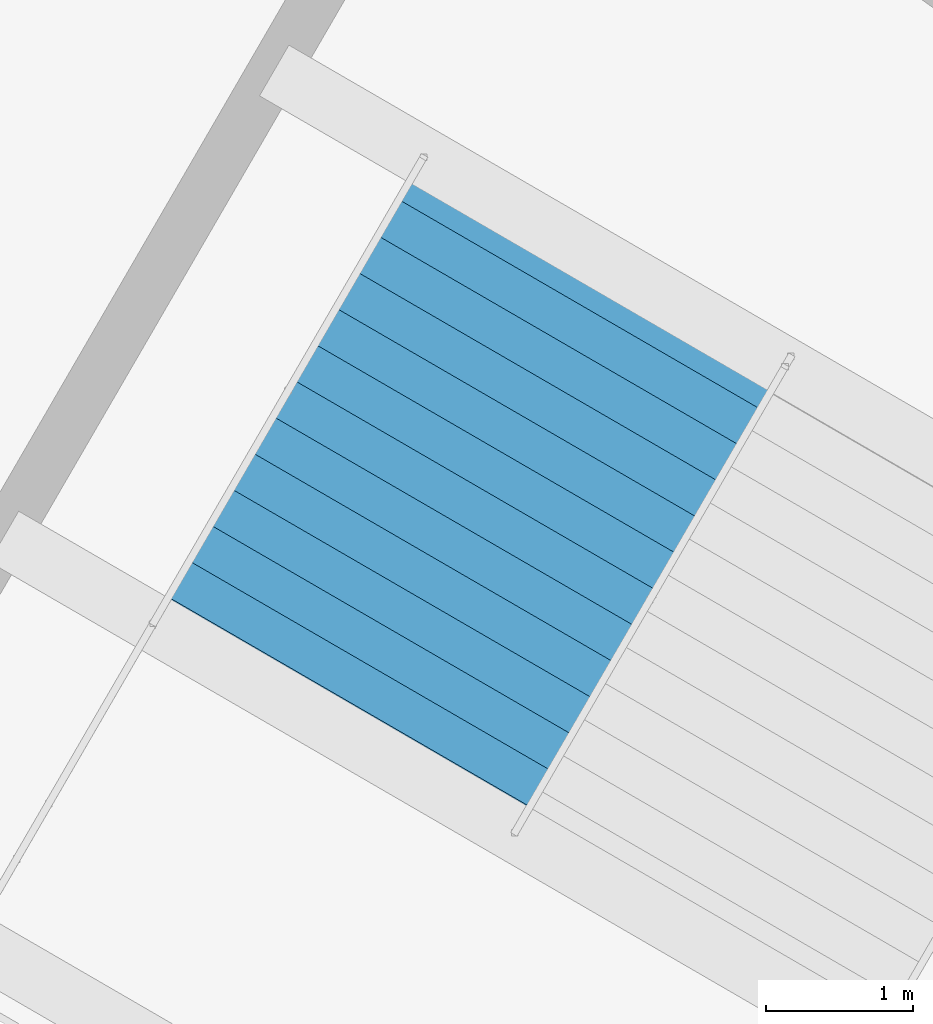
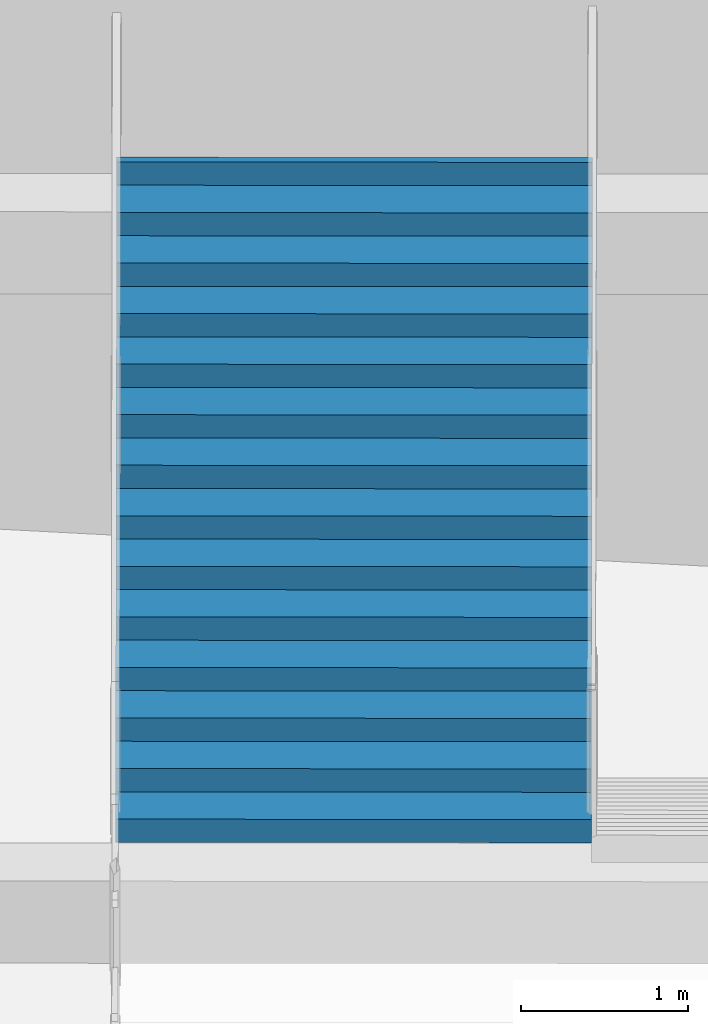
# One storey, part 133 of 156: 1 stair flight, 1 element without a shape of its own.
"""IFC4 building model written with IfcOpenShell, lengths in metres."""

from ifc_helpers import new_model, si_unit, direction, frame, origin, place, context, subcontext, project, spatial, polygons, material, type_object, element, aggregate, save


model = new_model("IFC4")

# Units and contexts
model_context = context("Model", 3, precision=1e-05, world=origin(), true_north=direction((0.0, 1.0)))
body_context = subcontext(model_context, "Body", "Model", "MODEL_VIEW")
ifc_project = project(units=[si_unit("LENGTHUNIT", "METRE"), si_unit("AREAUNIT", "SQUARE_METRE"), si_unit("VOLUMEUNIT", "CUBIC_METRE"), si_unit("PLANEANGLEUNIT", "RADIAN"), si_unit("MASSUNIT", "GRAM", prefix="KILO")], contexts=[model_context])

# Site, building, storey
site_placement = place(None, origin())
site = spatial("IfcSite", under=ifc_project, at=site_placement, CompositionType="ELEMENT")
building_placement = place(site_placement, origin())
building = spatial("IfcBuilding", under=site, at=building_placement, Name="Kazemori Nagisa Stadium", CompositionType="ELEMENT")
storey_placement = place(building_placement, frame((0.0, 0.0, 5.780029296875)))
storey = spatial("IfcBuildingStorey", under=building, at=storey_placement, Name="L01", CompositionType="ELEMENT", Elevation=5.780029296875)

# Stair, stair flight
ifc_material = material(Name="Concrete C36/45 (Fc36)", Category="concrete")
stair_type = type_object("IfcStairType", Name="Stair_CORE_28", PredefinedType="TWO_STRAIGHT_RUN_STAIR", material=ifc_material)
stair_placement = place(storey_placement, origin())
stair = element("IfcStair", 1, at=stair_placement, inside=storey, type_object=stair_type, Name="Exit stair ST08 L01", PredefinedType="TWO_STRAIGHT_RUN_STAIR")
stair_flight_type = type_object("IfcStairFlightType", Name="Flight_CORE_14", PredefinedType="STRAIGHT", material=ifc_material)
stair_flight_placement = place(storey_placement, frame((45.154296875, 148.83642578125, 2.3798828125), z_axis=(0.0, 0.0, 1.0), x_axis=(0.501579038974, 0.86511182379, 0.0)))
stair_flight = element("IfcStairFlight", 2, at=stair_flight_placement, type_object=stair_flight_type, Name="Exit stair ST08 L01 flight 2", NumberOfRisers=14, NumberOfTreads=13, PredefinedType="STRAIGHT", RiserHeight=0.17, TreadLength=0.285, context=body_context, shape_type="Tessellation", body=[
    polygons([(0.0, -1.425048828125, 0.0), (0.0, -1.425048828125, 0.169921875), (0.284912109375, -1.425048828125, 0.169921875), (0.284912109375, -1.425048828125, 0.340087890625), (0.570068359375, -1.425048828125, 0.340087890625), (0.570068359375, -1.425048828125, 0.510009765625), (0.85498046875, -1.425048828125, 0.510009765625), (0.85498046875, -1.425048828125, 0.679931640625), (1.139892578125, -1.425048828125, 0.679931640625), (1.139892578125, -1.425048828125, 0.85009765625), (1.425048828125, -1.425048828125, 0.85009765625), (1.425048828125, -1.425048828125, 1.02001953125), (1.7099609375, -1.425048828125, 1.02001953125), (1.7099609375, -1.425048828125, 1.18994140625), (1.9951171875, -1.425048828125, 1.18994140625), (1.9951171875, -1.425048828125, 1.360107421875), (2.280029296875, -1.425048828125, 1.360107421875), (2.280029296875, -1.425048828125, 1.530029296875), (2.56494140625, -1.425048828125, 1.530029296875), (2.56494140625, -1.425048828125, 1.699951171875), (2.85009765625, -1.425048828125, 1.699951171875), (2.85009765625, -1.425048828125, 1.8701171875), (3.135009765625, -1.425048828125, 1.8701171875), (3.135009765625, -1.425048828125, 2.0400390625), (3.419921875, -1.425048828125, 2.0400390625), (3.419921875, -1.425048828125, 2.2099609375), (3.705078125, -1.425048828125, 2.2099609375), (3.705078125, -1.425048828125, 2.3798828125), (3.7548828125, -1.425048828125, 2.3798828125), (3.7548828125, -1.425048828125, 2.007080078125), (3.705078125, -1.425048828125, 1.977294921875), (3.419921875, -1.425048828125, 1.80712890625), (3.135009765625, -1.425048828125, 1.63720703125), (2.85009765625, -1.425048828125, 1.46728515625), (2.56494140625, -1.425048828125, 1.297119140625), (2.280029296875, -1.425048828125, 1.127197265625), (1.9951171875, -1.425048828125, 0.957275390625), (1.7099609375, -1.425048828125, 0.787109375), (1.425048828125, -1.425048828125, 0.6171875), (1.139892578125, -1.425048828125, 0.447265625), (0.85498046875, -1.425048828125, 0.277099609375), (0.570068359375, -1.425048828125, 0.107177734375), (0.284912109375, -1.425048828125, 0.0), (0.0, -0.08544921875, 0.0), (0.0, -0.08544921875, 0.169921875), (0.284912109375, -0.08544921875, 0.169921875), (0.284912109375, -0.08544921875, 0.340087890625), (0.570068359375, -0.08544921875, 0.340087890625), (0.570068359375, -0.08544921875, 0.510009765625), (0.85498046875, -0.08544921875, 0.510009765625), (0.85498046875, -0.08544921875, 0.679931640625), (1.139892578125, -0.08544921875, 0.679931640625), (1.139892578125, -0.08544921875, 0.85009765625), (1.425048828125, -0.08544921875, 0.85009765625), (1.425048828125, -0.08544921875, 1.02001953125), (1.7099609375, -0.08544921875, 1.02001953125), (1.7099609375, -0.08544921875, 1.18994140625), (1.9951171875, -0.08544921875, 1.18994140625), (1.9951171875, -0.08544921875, 1.360107421875), (2.280029296875, -0.08544921875, 1.360107421875), (2.280029296875, -0.08544921875, 1.530029296875), (2.56494140625, -0.08544921875, 1.530029296875), (2.56494140625, -0.08544921875, 1.699951171875), (2.85009765625, -0.08544921875, 1.699951171875), (2.85009765625, -0.08544921875, 1.8701171875), (3.135009765625, -0.08544921875, 1.8701171875), (3.135009765625, -0.08544921875, 2.0400390625), (3.419921875, -0.08544921875, 2.0400390625), (3.419921875, -0.08544921875, 2.2099609375), (3.705078125, -0.08544921875, 2.2099609375), (3.705078125, -0.08544921875, 2.3798828125), (3.7548828125, -0.08544921875, 2.3798828125), (3.7548828125, -0.08544921875, 2.007080078125), (3.705078125, -0.08544921875, 1.977294921875), (3.419921875, -0.08544921875, 1.80712890625), (3.135009765625, -0.08544921875, 1.63720703125), (2.85009765625, -0.08544921875, 1.46728515625), (2.56494140625, -0.08544921875, 1.297119140625), (2.280029296875, -0.08544921875, 1.127197265625), (1.9951171875, -0.08544921875, 0.957275390625), (1.7099609375, -0.08544921875, 0.787109375), (1.425048828125, -0.08544921875, 0.6171875), (1.139892578125, -0.08544921875, 0.447265625), (0.85498046875, -0.08544921875, 0.277099609375), (0.570068359375, -0.08544921875, 0.107177734375), (0.284912109375, -0.08544921875, 0.0), (0.0, 0.0, 0.0), (0.0, 0.0, 0.169921875), (0.284912109375, 0.0, 0.169921875), (0.284912109375, 0.0, 0.340087890625), (0.570068359375, 0.0, 0.340087890625), (0.570068359375, 0.0, 0.510009765625), (0.85498046875, 0.0, 0.510009765625), (0.85498046875, 0.0, 0.679931640625), (1.139892578125, 0.0, 0.679931640625), (1.139892578125, 0.0, 0.85009765625), (1.425048828125, 0.0, 0.85009765625), (1.425048828125, 0.0, 1.02001953125), (1.7099609375, 0.0, 1.02001953125), (1.7099609375, 0.0, 1.18994140625), (1.9951171875, 0.0, 1.18994140625), (1.9951171875, 0.0, 1.360107421875), (2.280029296875, 0.0, 1.360107421875), (2.280029296875, 0.0, 1.530029296875), (2.56494140625, 0.0, 1.530029296875), (2.56494140625, 0.0, 1.699951171875), (2.85009765625, 0.0, 1.699951171875), (2.85009765625, 0.0, 1.8701171875), (3.135009765625, 0.0, 1.8701171875), (3.135009765625, 0.0, 2.0400390625), (3.419921875, 0.0, 2.0400390625), (3.419921875, 0.0, 2.2099609375), (3.705078125, 0.0, 2.2099609375), (3.705078125, 0.0, 2.3798828125), (3.7548828125, 0.0, 2.3798828125), (3.7548828125, 0.0, 2.007080078125), (3.705078125, 0.0, 1.977294921875), (3.419921875, 0.0, 1.80712890625), (3.135009765625, 0.0, 1.63720703125), (2.85009765625, 0.0, 1.46728515625), (2.56494140625, 0.0, 1.297119140625), (2.280029296875, 0.0, 1.127197265625), (1.9951171875, 0.0, 0.957275390625), (1.7099609375, 0.0, 0.787109375), (1.425048828125, 0.0, 0.6171875), (1.139892578125, 0.0, 0.447265625), (0.85498046875, 0.0, 0.277099609375), (0.570068359375, 0.0, 0.107177734375), (0.284912109375, 0.0, 0.0), (0.0, 0.08544921875, 0.0), (0.0, 0.08544921875, 0.169921875), (0.284912109375, 0.08544921875, 0.169921875), (0.284912109375, 0.08544921875, 0.340087890625), (0.570068359375, 0.08544921875, 0.340087890625), (0.570068359375, 0.08544921875, 0.510009765625), (0.85498046875, 0.08544921875, 0.510009765625), (0.85498046875, 0.08544921875, 0.679931640625), (1.139892578125, 0.08544921875, 0.679931640625), (1.139892578125, 0.08544921875, 0.85009765625), (1.425048828125, 0.08544921875, 0.85009765625), (1.425048828125, 0.08544921875, 1.02001953125), (1.7099609375, 0.08544921875, 1.02001953125), (1.7099609375, 0.08544921875, 1.18994140625), (1.9951171875, 0.08544921875, 1.18994140625), (1.9951171875, 0.08544921875, 1.360107421875), (2.280029296875, 0.08544921875, 1.360107421875), (2.280029296875, 0.08544921875, 1.530029296875), (2.56494140625, 0.08544921875, 1.530029296875), (2.56494140625, 0.08544921875, 1.699951171875), (2.85009765625, 0.08544921875, 1.699951171875), (2.85009765625, 0.08544921875, 1.8701171875), (3.135009765625, 0.08544921875, 1.8701171875), (3.135009765625, 0.08544921875, 2.0400390625), (3.419921875, 0.08544921875, 2.0400390625), (3.419921875, 0.08544921875, 2.2099609375), (3.705078125, 0.08544921875, 2.2099609375), (3.705078125, 0.08544921875, 2.3798828125), (3.7548828125, 0.08544921875, 2.3798828125), (3.7548828125, 0.08544921875, 2.007080078125), (3.705078125, 0.08544921875, 1.977294921875), (3.419921875, 0.08544921875, 1.80712890625), (3.135009765625, 0.08544921875, 1.63720703125), (2.85009765625, 0.08544921875, 1.46728515625), (2.56494140625, 0.08544921875, 1.297119140625), (2.280029296875, 0.08544921875, 1.127197265625), (1.9951171875, 0.08544921875, 0.957275390625), (1.7099609375, 0.08544921875, 0.787109375), (1.425048828125, 0.08544921875, 0.6171875), (1.139892578125, 0.08544921875, 0.447265625), (0.85498046875, 0.08544921875, 0.277099609375), (0.570068359375, 0.08544921875, 0.107177734375), (0.284912109375, 0.08544921875, 0.0), (0.0, 1.425048828125, 0.0), (0.0, 1.425048828125, 0.169921875), (0.284912109375, 1.425048828125, 0.169921875), (0.284912109375, 1.425048828125, 0.340087890625), (0.570068359375, 1.425048828125, 0.340087890625), (0.570068359375, 1.425048828125, 0.510009765625), (0.85498046875, 1.425048828125, 0.510009765625), (0.85498046875, 1.425048828125, 0.679931640625), (1.139892578125, 1.425048828125, 0.679931640625), (1.139892578125, 1.425048828125, 0.85009765625), (1.425048828125, 1.425048828125, 0.85009765625), (1.425048828125, 1.425048828125, 1.02001953125), (1.7099609375, 1.425048828125, 1.02001953125), (1.7099609375, 1.425048828125, 1.18994140625), (1.9951171875, 1.425048828125, 1.18994140625), (1.9951171875, 1.425048828125, 1.360107421875), (2.280029296875, 1.425048828125, 1.360107421875), (2.280029296875, 1.425048828125, 1.530029296875), (2.56494140625, 1.425048828125, 1.530029296875), (2.56494140625, 1.425048828125, 1.699951171875), (2.85009765625, 1.425048828125, 1.699951171875), (2.85009765625, 1.425048828125, 1.8701171875), (3.135009765625, 1.425048828125, 1.8701171875), (3.135009765625, 1.425048828125, 2.0400390625), (3.419921875, 1.425048828125, 2.0400390625), (3.419921875, 1.425048828125, 2.2099609375), (3.705078125, 1.425048828125, 2.2099609375), (3.705078125, 1.425048828125, 2.3798828125), (3.7548828125, 1.425048828125, 2.3798828125), (3.7548828125, 1.425048828125, 2.007080078125), (3.705078125, 1.425048828125, 1.977294921875), (3.419921875, 1.425048828125, 1.80712890625), (3.135009765625, 1.425048828125, 1.63720703125), (2.85009765625, 1.425048828125, 1.46728515625), (2.56494140625, 1.425048828125, 1.297119140625), (2.280029296875, 1.425048828125, 1.127197265625), (1.9951171875, 1.425048828125, 0.957275390625), (1.7099609375, 1.425048828125, 0.787109375), (1.425048828125, 1.425048828125, 0.6171875), (1.139892578125, 1.425048828125, 0.447265625), (0.85498046875, 1.425048828125, 0.277099609375), (0.570068359375, 1.425048828125, 0.107177734375), (0.284912109375, 1.425048828125, 0.0)], [[[1, 2, 45]], [[1, 45, 44]], [[2, 3, 46]], [[2, 46, 45]], [[3, 4, 47]], [[3, 47, 46]], [[4, 5, 48]], [[4, 48, 47]], [[5, 6, 49]], [[5, 49, 48]], [[6, 7, 50]], [[6, 50, 49]], [[7, 8, 51]], [[7, 51, 50]], [[8, 9, 52]], [[8, 52, 51]], [[9, 10, 53]], [[9, 53, 52]], [[10, 11, 54]], [[10, 54, 53]], [[11, 12, 55]], [[11, 55, 54]], [[12, 13, 56]], [[12, 56, 55]], [[13, 14, 57]], [[13, 57, 56]], [[14, 15, 58]], [[14, 58, 57]], [[15, 16, 59]], [[15, 59, 58]], [[16, 17, 60]], [[16, 60, 59]], [[17, 18, 61]], [[17, 61, 60]], [[18, 19, 62]], [[18, 62, 61]], [[19, 20, 63]], [[19, 63, 62]], [[20, 21, 64]], [[20, 64, 63]], [[21, 22, 65]], [[21, 65, 64]], [[22, 23, 66]], [[22, 66, 65]], [[23, 24, 67]], [[23, 67, 66]], [[24, 25, 68]], [[24, 68, 67]], [[25, 26, 69]], [[25, 69, 68]], [[26, 27, 70]], [[26, 70, 69]], [[27, 28, 71]], [[27, 71, 70]], [[28, 29, 72]], [[28, 72, 71]], [[29, 30, 73]], [[29, 73, 72]], [[30, 31, 74]], [[30, 74, 73]], [[31, 32, 75]], [[31, 75, 74]], [[32, 33, 76]], [[32, 76, 75]], [[33, 34, 77]], [[33, 77, 76]], [[34, 35, 78]], [[34, 78, 77]], [[35, 36, 79]], [[35, 79, 78]], [[36, 37, 80]], [[36, 80, 79]], [[37, 38, 81]], [[37, 81, 80]], [[38, 39, 82]], [[38, 82, 81]], [[39, 40, 83]], [[39, 83, 82]], [[40, 41, 84]], [[40, 84, 83]], [[41, 42, 85]], [[41, 85, 84]], [[42, 43, 86]], [[42, 86, 85]], [[43, 1, 44]], [[43, 44, 86]], [[44, 45, 88]], [[44, 88, 87]], [[45, 46, 89]], [[45, 89, 88]], [[46, 47, 90]], [[46, 90, 89]], [[47, 48, 91]], [[47, 91, 90]], [[48, 49, 92]], [[48, 92, 91]], [[49, 50, 93]], [[49, 93, 92]], [[50, 51, 94]], [[50, 94, 93]], [[51, 52, 95]], [[51, 95, 94]], [[52, 53, 96]], [[52, 96, 95]], [[53, 54, 97]], [[53, 97, 96]], [[54, 55, 98]], [[54, 98, 97]], [[55, 56, 99]], [[55, 99, 98]], [[56, 57, 100]], [[56, 100, 99]], [[57, 58, 101]], [[57, 101, 100]], [[58, 59, 102]], [[58, 102, 101]], [[59, 60, 103]], [[59, 103, 102]], [[60, 61, 104]], [[60, 104, 103]], [[61, 62, 105]], [[61, 105, 104]], [[62, 63, 106]], [[62, 106, 105]], [[63, 64, 107]], [[63, 107, 106]], [[64, 65, 108]], [[64, 108, 107]], [[65, 66, 109]], [[65, 109, 108]], [[66, 67, 110]], [[66, 110, 109]], [[67, 68, 111]], [[67, 111, 110]], [[68, 69, 112]], [[68, 112, 111]], [[69, 70, 113]], [[69, 113, 112]], [[70, 71, 114]], [[70, 114, 113]], [[71, 72, 115]], [[71, 115, 114]], [[72, 73, 116]], [[72, 116, 115]], [[73, 74, 117]], [[73, 117, 116]], [[74, 75, 118]], [[74, 118, 117]], [[75, 76, 119]], [[75, 119, 118]], [[76, 77, 120]], [[76, 120, 119]], [[77, 78, 121]], [[77, 121, 120]], [[78, 79, 122]], [[78, 122, 121]], [[79, 80, 123]], [[79, 123, 122]], [[80, 81, 124]], [[80, 124, 123]], [[81, 82, 125]], [[81, 125, 124]], [[82, 83, 126]], [[82, 126, 125]], [[83, 84, 127]], [[83, 127, 126]], [[84, 85, 128]], [[84, 128, 127]], [[85, 86, 129]], [[85, 129, 128]], [[86, 44, 87]], [[86, 87, 129]], [[87, 88, 131]], [[87, 131, 130]], [[88, 89, 132]], [[88, 132, 131]], [[89, 90, 133]], [[89, 133, 132]], [[90, 91, 134]], [[90, 134, 133]], [[91, 92, 135]], [[91, 135, 134]], [[92, 93, 136]], [[92, 136, 135]], [[93, 94, 137]], [[93, 137, 136]], [[94, 95, 138]], [[94, 138, 137]], [[95, 96, 139]], [[95, 139, 138]], [[96, 97, 140]], [[96, 140, 139]], [[97, 98, 141]], [[97, 141, 140]], [[98, 99, 142]], [[98, 142, 141]], [[99, 100, 143]], [[99, 143, 142]], [[100, 101, 144]], [[100, 144, 143]], [[101, 102, 145]], [[101, 145, 144]], [[102, 103, 146]], [[102, 146, 145]], [[103, 104, 147]], [[103, 147, 146]], [[104, 105, 148]], [[104, 148, 147]], [[105, 106, 149]], [[105, 149, 148]], [[106, 107, 150]], [[106, 150, 149]], [[107, 108, 151]], [[107, 151, 150]], [[108, 109, 152]], [[108, 152, 151]], [[109, 110, 153]], [[109, 153, 152]], [[110, 111, 154]], [[110, 154, 153]], [[111, 112, 155]], [[111, 155, 154]], [[112, 113, 156]], [[112, 156, 155]], [[113, 114, 157]], [[113, 157, 156]], [[114, 115, 158]], [[114, 158, 157]], [[115, 116, 159]], [[115, 159, 158]], [[116, 117, 160]], [[116, 160, 159]], [[117, 118, 161]], [[117, 161, 160]], [[118, 119, 162]], [[118, 162, 161]], [[119, 120, 163]], [[119, 163, 162]], [[120, 121, 164]], [[120, 164, 163]], [[121, 122, 165]], [[121, 165, 164]], [[122, 123, 166]], [[122, 166, 165]], [[123, 124, 167]], [[123, 167, 166]], [[124, 125, 168]], [[124, 168, 167]], [[125, 126, 169]], [[125, 169, 168]], [[126, 127, 170]], [[126, 170, 169]], [[127, 128, 171]], [[127, 171, 170]], [[128, 129, 172]], [[128, 172, 171]], [[129, 87, 130]], [[129, 130, 172]], [[130, 131, 174]], [[130, 174, 173]], [[131, 132, 175]], [[131, 175, 174]], [[132, 133, 176]], [[132, 176, 175]], [[133, 134, 177]], [[133, 177, 176]], [[134, 135, 178]], [[134, 178, 177]], [[135, 136, 179]], [[135, 179, 178]], [[136, 137, 180]], [[136, 180, 179]], [[137, 138, 181]], [[137, 181, 180]], [[138, 139, 182]], [[138, 182, 181]], [[139, 140, 183]], [[139, 183, 182]], [[140, 141, 184]], [[140, 184, 183]], [[141, 142, 185]], [[141, 185, 184]], [[142, 143, 186]], [[142, 186, 185]], [[143, 144, 187]], [[143, 187, 186]], [[144, 145, 188]], [[144, 188, 187]], [[145, 146, 189]], [[145, 189, 188]], [[146, 147, 190]], [[146, 190, 189]], [[147, 148, 191]], [[147, 191, 190]], [[148, 149, 192]], [[148, 192, 191]], [[149, 150, 193]], [[149, 193, 192]], [[150, 151, 194]], [[150, 194, 193]], [[151, 152, 195]], [[151, 195, 194]], [[152, 153, 196]], [[152, 196, 195]], [[153, 154, 197]], [[153, 197, 196]], [[154, 155, 198]], [[154, 198, 197]], [[155, 156, 199]], [[155, 199, 198]], [[156, 157, 200]], [[156, 200, 199]], [[157, 158, 201]], [[157, 201, 200]], [[158, 159, 202]], [[158, 202, 201]], [[159, 160, 203]], [[159, 203, 202]], [[160, 161, 204]], [[160, 204, 203]], [[161, 162, 205]], [[161, 205, 204]], [[162, 163, 206]], [[162, 206, 205]], [[163, 164, 207]], [[163, 207, 206]], [[164, 165, 208]], [[164, 208, 207]], [[165, 166, 209]], [[165, 209, 208]], [[166, 167, 210]], [[166, 210, 209]], [[167, 168, 211]], [[167, 211, 210]], [[168, 169, 212]], [[168, 212, 211]], [[169, 170, 213]], [[169, 213, 212]], [[170, 171, 214]], [[170, 214, 213]], [[171, 172, 215]], [[171, 215, 214]], [[172, 130, 173]], [[172, 173, 215]], [[3, 2, 1]], [[173, 174, 175]], [[43, 3, 1]], [[173, 175, 215]], [[42, 3, 43]], [[215, 175, 214]], [[5, 3, 42]], [[214, 175, 177]], [[5, 4, 3]], [[175, 176, 177]], [[41, 5, 42]], [[214, 177, 213]], [[7, 5, 41]], [[213, 177, 179]], [[7, 6, 5]], [[177, 178, 179]], [[40, 7, 41]], [[213, 179, 212]], [[9, 7, 40]], [[212, 179, 181]], [[9, 8, 7]], [[179, 180, 181]], [[39, 9, 40]], [[212, 181, 211]], [[11, 9, 39]], [[211, 181, 183]], [[11, 10, 9]], [[181, 182, 183]], [[38, 11, 39]], [[211, 183, 210]], [[13, 11, 38]], [[210, 183, 185]], [[13, 12, 11]], [[183, 184, 185]], [[37, 13, 38]], [[210, 185, 209]], [[15, 13, 37]], [[209, 185, 187]], [[15, 14, 13]], [[185, 186, 187]], [[36, 15, 37]], [[209, 187, 208]], [[17, 15, 36]], [[208, 187, 189]], [[17, 16, 15]], [[187, 188, 189]], [[35, 17, 36]], [[208, 189, 207]], [[19, 17, 35]], [[207, 189, 191]], [[19, 18, 17]], [[189, 190, 191]], [[34, 19, 35]], [[207, 191, 206]], [[21, 19, 34]], [[206, 191, 193]], [[21, 20, 19]], [[191, 192, 193]], [[33, 21, 34]], [[206, 193, 205]], [[23, 21, 33]], [[205, 193, 195]], [[23, 22, 21]], [[193, 194, 195]], [[32, 23, 33]], [[205, 195, 204]], [[25, 23, 32]], [[204, 195, 197]], [[25, 24, 23]], [[195, 196, 197]], [[31, 25, 32]], [[204, 197, 203]], [[27, 25, 31]], [[203, 197, 199]], [[27, 26, 25]], [[197, 198, 199]], [[30, 27, 31]], [[203, 199, 202]], [[29, 27, 30]], [[202, 199, 201]], [[29, 28, 27]], [[199, 200, 201]]], closed=True),
])
aggregate(stair, [stair_flight])

save(model, "model.ifc")
